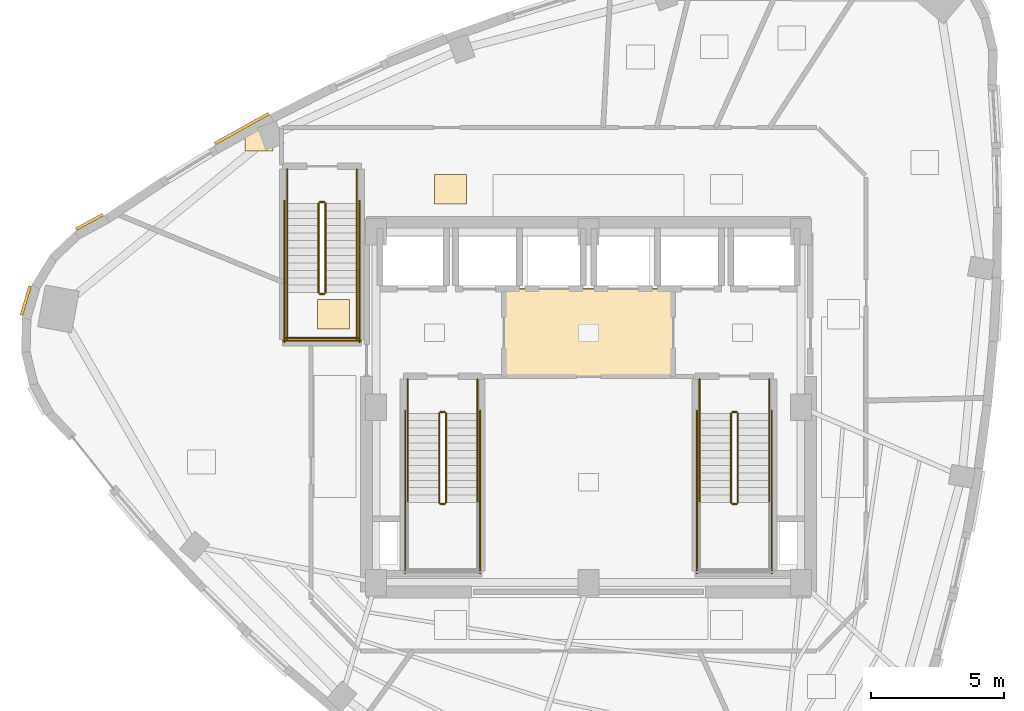
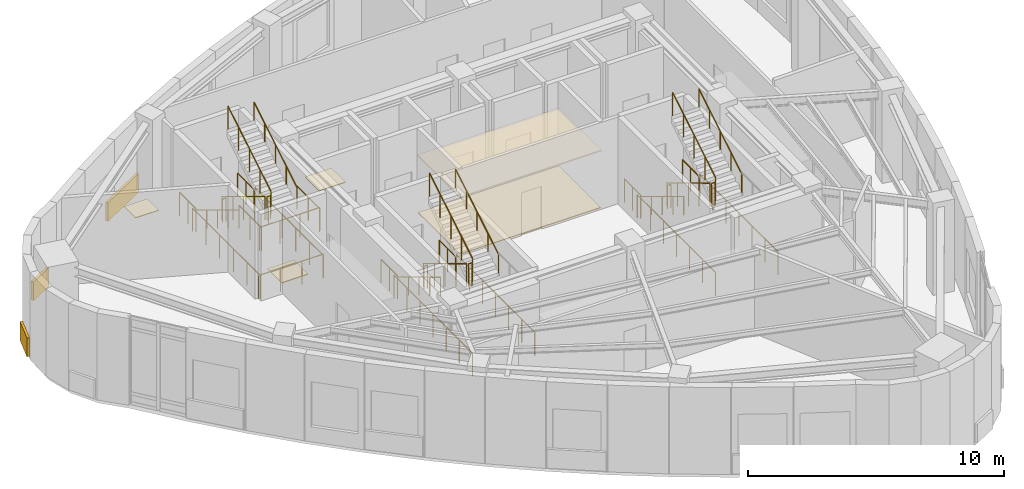
# One storey, part 12 of 13: 34 railings, 8 coverings.
"""IFC4 building model written with IfcOpenShell, lengths in metres."""

from ifc_helpers import new_model, si_unit, direction, frame, origin, origin_2d, place, context, subcontext, project, spatial, rectangle, circle, extrude, material, layer, layer_set, type_object, element, save


model = new_model("IFC4")

# Units and contexts
model_context = context("Model", 3, precision=1e-05, world=origin(), true_north=direction((0.0, 1.0)))
body_context = subcontext(model_context, "Body", "Model", "MODEL_VIEW")
ifc_project = project(units=[si_unit("LENGTHUNIT", "METRE"), si_unit("AREAUNIT", "SQUARE_METRE"), si_unit("VOLUMEUNIT", "CUBIC_METRE"), si_unit("PLANEANGLEUNIT", "RADIAN"), si_unit("MASSUNIT", "GRAM", prefix="KILO")], contexts=[model_context])

# Site, building, storey
site_placement = place(None, origin())
site = spatial("IfcSite", under=ifc_project, at=site_placement, CompositionType="ELEMENT")
building_placement = place(site_placement, origin())
building = spatial("IfcBuilding", under=site, at=building_placement, Name="Ndelora Gate Hotel", CompositionType="ELEMENT")
storey_placement = place(building_placement, frame((0.0, 0.0, 272.800048828125)))
storey = spatial("IfcBuildingStorey", under=building, at=storey_placement, Name="L68", CompositionType="ELEMENT", Elevation=272.800048828125)

# Coverings
ifc_material_1 = material(Name="Perforated Acoustic Gypsum Board", Category="gypsum")
ifc_layer_1 = layer(ifc_material_1, 0.054931640625)
ifc_layer_set_1 = layer_set([ifc_layer_1], Name="Perforated Acoustic Gypsum Board")
covering_type_1 = type_object("IfcCoveringType", Name="COV-CEIL-AC60", PredefinedType="CEILING", material=ifc_layer_set_1)
covering_1_placement = place(storey_placement, frame((0.0, 2.800048828125, 2.72265625), z_axis=(0.0, 0.0, 1.0), x_axis=(1.0, 0.0, 0.0)))
element("IfcCovering", 1, at=covering_1_placement, inside=storey, type_object=covering_type_1, Name="L68 Lift Lobby Acoustic Ceiling", PredefinedType="CEILING", context=body_context, shape_type="SweptSolid", body=[
    extrude(rectangle(XDim=6.39990234375, YDim=3.340087890625, at=origin_2d()), origin(), (0.0, 0.0, 1.0), 0.054931640625),
])
ifc_material_2 = material(Name="Terracotta Fired Clay Brick Slip Cladding", Category="masonry")
ifc_layer_2 = layer(ifc_material_2, 0.110107421875)
ifc_layer_set_2 = layer_set([ifc_layer_2], Name="Terracotta Fired Clay Brick Slip Cladding")
covering_type_2 = type_object("IfcCoveringType", Name="COV-CLAD-BRK", PredefinedType="CLADDING", material=ifc_layer_set_2)
for number, where, z_axis, x_axis, name in (
    (2, (-18.7822265625, 6.972900390625, 0.10009765625), (0.0, 0.0, 1.0), (0.878817112662, 0.47715876026, 0.0), "L68 Rounded-Corner Brick Cladding Band 1"),
    (3, (-21.1796875, 4.012451171875, 0.10009765625), (0.0, 0.0, 1.0), (0.284015344704, 0.958819734868, 0.0), "L68 Rounded-Corner Brick Cladding Band 4"),
):
    element("IfcCovering", number, at=place(storey_placement, frame(where, z_axis=z_axis, x_axis=x_axis)), inside=storey, type_object=covering_type_2, Name=name, PredefinedType="CLADDING", context=body_context, shape_type="SweptSolid", body=[
        extrude(rectangle(XDim=1.153076171875, YDim=0.110107421875, at=origin_2d()), origin(), (0.0, 0.0, 1.0), 0.89990234375),
    ])
covering_2_placement = place(storey_placement, frame((-13.046875, 10.4853515625, 0.10009765625), z_axis=(0.0, 0.0, 1.0), x_axis=(0.873941932872, 0.486030346756, 0.0)))
element("IfcCovering", 4, at=covering_2_placement, inside=storey, type_object=covering_type_2, Name="L68 Rounded-Corner Brick Cladding Band 58", PredefinedType="CLADDING", context=body_context, shape_type="SweptSolid", body=[
    extrude(rectangle(XDim=2.322021484375, YDim=0.110107421875, at=origin_2d()), origin(), (0.0, 0.0, 1.0), 0.89990234375),
])
ifc_material_3 = material(Name="Engineered Highland Oak Parquet", Category="wood")
ifc_layer_3 = layer(ifc_material_3, 0.030029296875)
ifc_layer_set_3 = layer_set([ifc_layer_3], Name="Engineered Highland Oak Parquet")
covering_type_3 = type_object("IfcCoveringType", Name="COV-FLR-PARQ", PredefinedType="FLOORING", material=ifc_layer_set_3)
covering_3_placement = place(storey_placement, frame((-12.40283203125, 10.095703125, 0.0), z_axis=(0.0, 0.0, 1.0), x_axis=(1.0, 0.0, 0.0)))
element("IfcCovering", 5, at=covering_3_placement, inside=storey, type_object=covering_type_3, Name="L68 Crown Arrival Dining Room Oak Parquet Flooring", PredefinedType="FLOORING", context=body_context, shape_type="SweptSolid", body=[
    extrude(rectangle(XDim=1.050048828125, YDim=0.89990234375, at=origin_2d()), origin(), (0.0, 0.0, 1.0), 0.030029296875),
])
ifc_material_4 = material(Name="Polished Highland Stone Terrazzo", Category="masonry")
ifc_layer_4 = layer(ifc_material_4, 0.034912109375)
ifc_layer_set_4 = layer_set([ifc_layer_4], Name="Polished Highland Stone Terrazzo")
covering_type_4 = type_object("IfcCoveringType", Name="COV-FLR-TERZ", PredefinedType="FLOORING", material=ifc_layer_set_4)
for number, where, z_axis, x_axis, name in (
    (6, (-5.199951171875, 8.199951171875, 0.0), (0.0, 0.0, 1.0), (1.0, 0.0, 0.0), "L68 Corridor Threshold Terrazzo Inlay NW"),
    (7, (-9.60009765625, 3.5, 0.0), (0.0, 0.0, 1.0), (1.0, 0.0, 0.0), "L68 Corridor Threshold Terrazzo Inlay W"),
):
    element("IfcCovering", number, at=place(storey_placement, frame(where, z_axis=z_axis, x_axis=x_axis)), inside=storey, type_object=covering_type_4, Name=name, PredefinedType="FLOORING", context=body_context, shape_type="SweptSolid", body=[
        extrude(rectangle(XDim=1.199951171875, YDim=1.10009765625, at=origin_2d()), origin(), (0.0, 0.0, 1.0), 0.034912109375),
    ])
covering_4_placement = place(storey_placement, frame((0.0, 2.800048828125, 0.0), z_axis=(0.0, 0.0, 1.0), x_axis=(1.0, 0.0, 0.0)))
element("IfcCovering", 8, at=covering_4_placement, inside=storey, type_object=covering_type_4, Name="L68 Terrazzo Concourse Flooring", PredefinedType="FLOORING", context=body_context, shape_type="SweptSolid", body=[
    extrude(rectangle(XDim=6.360107421875, YDim=3.280029296875, at=origin_2d()), origin(), (0.0, 0.0, 1.0), 0.034912109375),
])

# Railings
ifc_material_5 = material(Name="Painted Galvanized Steel Balustrade", Category="steel")
ifc_layer_5 = layer(ifc_material_5, 0.06005859375)
ifc_layer_set_5 = layer_set([ifc_layer_5], Name="Painted Galvanized Steel Balustrade")
railing_type_1 = type_object("IfcRailingType", Name="RL-STAIR-GD", PredefinedType="GUARDRAIL", material=ifc_layer_set_5)
railing_1_placement = place(storey_placement, frame((-5.6201171875, -0.22998046875, 0.169189453125)))
element("IfcRailing", 9, at=railing_1_placement, inside=storey, type_object=railing_type_1, Name="L68 ST4 stair guard 1", PredefinedType="GUARDRAIL", context=body_context, shape_type="SweptSolid", body=[
    extrude(circle(Radius=0.02392578125, at=origin_2d()), frame((0.0, 0.0, 1.10595703125), z_axis=(0.0, -0.855836976705, 0.517245656632), x_axis=(1.0, 0.0, 0.0)), (0.0, 0.0, 1.0), 3.926025390625),
    extrude(circle(Radius=0.02099609375, at=origin_2d()), origin(), (0.0, 0.0, 1.0), 1.081787109375),
    extrude(circle(Radius=0.02099609375, at=origin_2d()), frame((0.0, -0.840087890625, 0.5078125)), (0.0, 0.0, 1.0), 1.081787109375),
    extrude(circle(Radius=0.02099609375, at=origin_2d()), frame((0.0, -1.68017578125, 1.015380859375)), (0.0, 0.0, 1.0), 1.081787109375),
    extrude(circle(Radius=0.02099609375, at=origin_2d()), frame((0.0, -2.52001953125, 1.52294921875)), (0.0, 0.0, 1.0), 1.081787109375),
    extrude(circle(Radius=0.02099609375, at=origin_2d()), frame((0.0, -3.360107421875, 2.03076171875)), (0.0, 0.0, 1.0), 1.081787109375),
])
railing_2_placement = place(storey_placement, frame((-5.570068359375, -3.639892578125, 2.199951171875)))
element("IfcRailing", 10, at=railing_2_placement, inside=storey, type_object=railing_type_1, Name="L68 ST4 stair guard 2", PredefinedType="GUARDRAIL", context=body_context, shape_type="SweptSolid", body=[
    extrude(circle(Radius=0.02392578125, at=origin_2d()), frame((0.0, 0.0, 1.10595703125), z_axis=(1.0, 0.0, 0.0), x_axis=(0.0, 1.0, 0.0)), (0.0, 0.0, 1.0), 0.16015625),
    extrude(circle(Radius=0.02099609375, at=origin_2d()), origin(), (0.0, 0.0, 1.0), 1.081787109375),
    extrude(circle(Radius=0.02099609375, at=origin_2d()), frame((0.16015625, 0.0, 0.0)), (0.0, 0.0, 1.0), 1.081787109375),
])
railing_3_placement = place(storey_placement, frame((-5.360107421875, -3.590087890625, 2.369140625)))
element("IfcRailing", 11, at=railing_3_placement, inside=storey, type_object=railing_type_1, Name="L68 ST4 stair guard 6", PredefinedType="GUARDRAIL", context=body_context, shape_type="SweptSolid", body=[
    extrude(circle(Radius=0.02392578125, at=origin_2d()), frame((0.0, 0.0, 1.10595703125), z_axis=(0.0, 0.855836976705, 0.517245656632), x_axis=(-1.0, 0.0, 0.0)), (0.0, 0.0, 1.0), 3.926025390625),
    extrude(circle(Radius=0.02099609375, at=origin_2d()), origin(), (0.0, 0.0, 1.0), 1.081787109375),
    extrude(circle(Radius=0.02099609375, at=origin_2d()), frame((0.0, 0.840087890625, 0.5078125)), (0.0, 0.0, 1.0), 1.081787109375),
    extrude(circle(Radius=0.02099609375, at=origin_2d()), frame((0.0, 1.68017578125, 1.015380859375)), (0.0, 0.0, 1.0), 1.081787109375),
    extrude(circle(Radius=0.02099609375, at=origin_2d()), frame((0.0, 2.52001953125, 1.52294921875)), (0.0, 0.0, 1.0), 1.081787109375),
    extrude(circle(Radius=0.02099609375, at=origin_2d()), frame((0.0, 3.360107421875, 2.03076171875)), (0.0, 0.0, 1.0), 1.081787109375),
])
railing_4_placement = place(storey_placement, frame((-5.570068359375, -0.179931640625, 0.0)))
element("IfcRailing", 12, at=railing_4_placement, inside=storey, type_object=railing_type_1, Name="L68 ST4 stair guard 7", PredefinedType="GUARDRAIL", context=body_context, shape_type="SweptSolid", body=[
    extrude(circle(Radius=0.02392578125, at=origin_2d()), frame((0.0, 0.0, 1.10595703125), z_axis=(1.0, 0.0, 0.0), x_axis=(0.0, 1.0, 0.0)), (0.0, 0.0, 1.0), 0.16015625),
    extrude(circle(Radius=0.02099609375, at=origin_2d()), origin(), (0.0, 0.0, 1.0), 1.081787109375),
    extrude(circle(Radius=0.02099609375, at=origin_2d()), frame((0.16015625, 0.0, 0.0)), (0.0, 0.0, 1.0), 1.081787109375),
])
for number, where, name in (
    (13, (-6.800048828125, 1.050048828125, 0.0), "L68 ST4 stair guard 8"),
    (14, (-4.179931640625, 1.050048828125, 0.0), "L68 ST4 stair guard 9"),
):
    element("IfcRailing", number, at=place(storey_placement, frame(where)), inside=storey, type_object=railing_type_1, Name=name, PredefinedType="GUARDRAIL", context=body_context, shape_type="SweptSolid", body=[
        extrude(circle(Radius=0.02392578125, at=origin_2d()), frame((0.0, 0.0, 1.10595703125), z_axis=(0.0, -1.0, 0.0), x_axis=(1.0, 0.0, 0.0)), (0.0, 0.0, 1.0), 1.280029296875),
        extrude(circle(Radius=0.02099609375, at=origin_2d()), origin(), (0.0, 0.0, 1.0), 1.081787109375),
        extrude(circle(Radius=0.02099609375, at=origin_2d()), frame((0.0, -0.64013671875, 0.0)), (0.0, 0.0, 1.0), 1.081787109375),
        extrude(circle(Radius=0.02099609375, at=origin_2d()), frame((0.0, -1.280029296875, 0.0)), (0.0, 0.0, 1.0), 1.081787109375),
    ])
for number, where, name in (
    (15, (-6.89990234375, -0.1298828125, 0.0), "L68 ST4 stair guard 10"),
    (16, (-4.080078125, -0.1298828125, 0.0), "L68 ST4 stair guard 11"),
):
    element("IfcRailing", number, at=place(storey_placement, frame(where)), inside=storey, type_object=railing_type_1, Name=name, PredefinedType="GUARDRAIL", context=body_context, shape_type="SweptSolid", body=[
        extrude(circle(Radius=0.02392578125, at=origin_2d()), frame((0.0, 0.0, 1.10595703125), z_axis=(0.0, -1.0, 0.0), x_axis=(1.0, 0.0, 0.0)), (0.0, 0.0, 1.0), 6.1201171875),
        extrude(circle(Radius=0.02099609375, at=origin_2d()), origin(), (0.0, 0.0, 1.0), 1.081787109375),
        extrude(circle(Radius=0.02099609375, at=origin_2d()), frame((0.0, -1.02001953125, 0.0)), (0.0, 0.0, 1.0), 1.081787109375),
        extrude(circle(Radius=0.02099609375, at=origin_2d()), frame((0.0, -2.0400390625, 0.0)), (0.0, 0.0, 1.0), 1.081787109375),
        extrude(circle(Radius=0.02099609375, at=origin_2d()), frame((0.0, -3.06005859375, 0.0)), (0.0, 0.0, 1.0), 1.081787109375),
        extrude(circle(Radius=0.02099609375, at=origin_2d()), frame((0.0, -4.080078125, 0.0)), (0.0, 0.0, 1.0), 1.081787109375),
        extrude(circle(Radius=0.02099609375, at=origin_2d()), frame((0.0, -5.10009765625, 0.0)), (0.0, 0.0, 1.0), 1.081787109375),
        extrude(circle(Radius=0.02099609375, at=origin_2d()), frame((0.0, -6.1201171875, 0.0)), (0.0, 0.0, 1.0), 1.081787109375),
    ])
railing_5_placement = place(storey_placement, frame((5.360107421875, -0.22998046875, 0.169189453125)))
element("IfcRailing", 17, at=railing_5_placement, inside=storey, type_object=railing_type_1, Name="L68 ST5 stair guard 1", PredefinedType="GUARDRAIL", context=body_context, shape_type="SweptSolid", body=[
    extrude(circle(Radius=0.02392578125, at=origin_2d()), frame((0.0, 0.0, 1.10595703125), z_axis=(0.0, -0.855836976705, 0.517245656632), x_axis=(1.0, 0.0, 0.0)), (0.0, 0.0, 1.0), 3.926025390625),
    extrude(circle(Radius=0.02099609375, at=origin_2d()), origin(), (0.0, 0.0, 1.0), 1.081787109375),
    extrude(circle(Radius=0.02099609375, at=origin_2d()), frame((0.0, -0.840087890625, 0.5078125)), (0.0, 0.0, 1.0), 1.081787109375),
    extrude(circle(Radius=0.02099609375, at=origin_2d()), frame((0.0, -1.68017578125, 1.015380859375)), (0.0, 0.0, 1.0), 1.081787109375),
    extrude(circle(Radius=0.02099609375, at=origin_2d()), frame((0.0, -2.52001953125, 1.52294921875)), (0.0, 0.0, 1.0), 1.081787109375),
    extrude(circle(Radius=0.02099609375, at=origin_2d()), frame((0.0, -3.360107421875, 2.03076171875)), (0.0, 0.0, 1.0), 1.081787109375),
])
railing_6_placement = place(storey_placement, frame((5.409912109375, -3.639892578125, 2.199951171875)))
element("IfcRailing", 18, at=railing_6_placement, inside=storey, type_object=railing_type_1, Name="L68 ST5 stair guard 2", PredefinedType="GUARDRAIL", context=body_context, shape_type="SweptSolid", body=[
    extrude(circle(Radius=0.02392578125, at=origin_2d()), frame((0.0, 0.0, 1.10595703125), z_axis=(1.0, 0.0, 0.0), x_axis=(0.0, 1.0, 0.0)), (0.0, 0.0, 1.0), 0.16015625),
    extrude(circle(Radius=0.02099609375, at=origin_2d()), origin(), (0.0, 0.0, 1.0), 1.081787109375),
    extrude(circle(Radius=0.02099609375, at=origin_2d()), frame((0.16015625, 0.0, 0.0)), (0.0, 0.0, 1.0), 1.081787109375),
])
railing_7_placement = place(storey_placement, frame((5.6201171875, -3.590087890625, 2.369140625)))
element("IfcRailing", 19, at=railing_7_placement, inside=storey, type_object=railing_type_1, Name="L68 ST5 stair guard 6", PredefinedType="GUARDRAIL", context=body_context, shape_type="SweptSolid", body=[
    extrude(circle(Radius=0.02392578125, at=origin_2d()), frame((0.0, 0.0, 1.10595703125), z_axis=(0.0, 0.855836976705, 0.517245656632), x_axis=(-1.0, 0.0, 0.0)), (0.0, 0.0, 1.0), 3.926025390625),
    extrude(circle(Radius=0.02099609375, at=origin_2d()), origin(), (0.0, 0.0, 1.0), 1.081787109375),
    extrude(circle(Radius=0.02099609375, at=origin_2d()), frame((0.0, 0.840087890625, 0.5078125)), (0.0, 0.0, 1.0), 1.081787109375),
    extrude(circle(Radius=0.02099609375, at=origin_2d()), frame((0.0, 1.68017578125, 1.015380859375)), (0.0, 0.0, 1.0), 1.081787109375),
    extrude(circle(Radius=0.02099609375, at=origin_2d()), frame((0.0, 2.52001953125, 1.52294921875)), (0.0, 0.0, 1.0), 1.081787109375),
    extrude(circle(Radius=0.02099609375, at=origin_2d()), frame((0.0, 3.360107421875, 2.03076171875)), (0.0, 0.0, 1.0), 1.081787109375),
])
railing_8_placement = place(storey_placement, frame((5.409912109375, -0.179931640625, 0.0)))
element("IfcRailing", 20, at=railing_8_placement, inside=storey, type_object=railing_type_1, Name="L68 ST5 stair guard 7", PredefinedType="GUARDRAIL", context=body_context, shape_type="SweptSolid", body=[
    extrude(circle(Radius=0.02392578125, at=origin_2d()), frame((0.0, 0.0, 1.10595703125), z_axis=(1.0, 0.0, 0.0), x_axis=(0.0, 1.0, 0.0)), (0.0, 0.0, 1.0), 0.16015625),
    extrude(circle(Radius=0.02099609375, at=origin_2d()), origin(), (0.0, 0.0, 1.0), 1.081787109375),
    extrude(circle(Radius=0.02099609375, at=origin_2d()), frame((0.16015625, 0.0, 0.0)), (0.0, 0.0, 1.0), 1.081787109375),
])
for number, where, name in (
    (21, (4.179931640625, 1.050048828125, 0.0), "L68 ST5 stair guard 8"),
    (22, (6.800048828125, 1.050048828125, 0.0), "L68 ST5 stair guard 9"),
):
    element("IfcRailing", number, at=place(storey_placement, frame(where)), inside=storey, type_object=railing_type_1, Name=name, PredefinedType="GUARDRAIL", context=body_context, shape_type="SweptSolid", body=[
        extrude(circle(Radius=0.02392578125, at=origin_2d()), frame((0.0, 0.0, 1.10595703125), z_axis=(0.0, -1.0, 0.0), x_axis=(1.0, 0.0, 0.0)), (0.0, 0.0, 1.0), 1.280029296875),
        extrude(circle(Radius=0.02099609375, at=origin_2d()), origin(), (0.0, 0.0, 1.0), 1.081787109375),
        extrude(circle(Radius=0.02099609375, at=origin_2d()), frame((0.0, -0.64013671875, 0.0)), (0.0, 0.0, 1.0), 1.081787109375),
        extrude(circle(Radius=0.02099609375, at=origin_2d()), frame((0.0, -1.280029296875, 0.0)), (0.0, 0.0, 1.0), 1.081787109375),
    ])
for number, where, name in (
    (23, (4.080078125, -0.1298828125, 0.0), "L68 ST5 stair guard 10"),
    (24, (6.89990234375, -0.1298828125, 0.0), "L68 ST5 stair guard 11"),
):
    element("IfcRailing", number, at=place(storey_placement, frame(where)), inside=storey, type_object=railing_type_1, Name=name, PredefinedType="GUARDRAIL", context=body_context, shape_type="SweptSolid", body=[
        extrude(circle(Radius=0.02392578125, at=origin_2d()), frame((0.0, 0.0, 1.10595703125), z_axis=(0.0, -1.0, 0.0), x_axis=(1.0, 0.0, 0.0)), (0.0, 0.0, 1.0), 6.1201171875),
        extrude(circle(Radius=0.02099609375, at=origin_2d()), origin(), (0.0, 0.0, 1.0), 1.081787109375),
        extrude(circle(Radius=0.02099609375, at=origin_2d()), frame((0.0, -1.02001953125, 0.0)), (0.0, 0.0, 1.0), 1.081787109375),
        extrude(circle(Radius=0.02099609375, at=origin_2d()), frame((0.0, -2.0400390625, 0.0)), (0.0, 0.0, 1.0), 1.081787109375),
        extrude(circle(Radius=0.02099609375, at=origin_2d()), frame((0.0, -3.06005859375, 0.0)), (0.0, 0.0, 1.0), 1.081787109375),
        extrude(circle(Radius=0.02099609375, at=origin_2d()), frame((0.0, -4.080078125, 0.0)), (0.0, 0.0, 1.0), 1.081787109375),
        extrude(circle(Radius=0.02099609375, at=origin_2d()), frame((0.0, -5.10009765625, 0.0)), (0.0, 0.0, 1.0), 1.081787109375),
        extrude(circle(Radius=0.02099609375, at=origin_2d()), frame((0.0, -6.1201171875, 0.0)), (0.0, 0.0, 1.0), 1.081787109375),
    ])
railing_9_placement = place(storey_placement, frame((-10.159912109375, 7.669921875, 0.169189453125)))
element("IfcRailing", 25, at=railing_9_placement, inside=storey, type_object=railing_type_1, Name="L68 ST6 stair guard 1", PredefinedType="GUARDRAIL", context=body_context, shape_type="SweptSolid", body=[
    extrude(circle(Radius=0.02392578125, at=origin_2d()), frame((0.0, 0.0, 1.10595703125), z_axis=(0.0, -0.855820338506, 0.51727318527), x_axis=(1.0, 0.0, 0.0)), (0.0, 0.0, 1.0), 3.92578125),
    extrude(circle(Radius=0.02099609375, at=origin_2d()), origin(), (0.0, 0.0, 1.0), 1.081787109375),
    extrude(circle(Radius=0.02099609375, at=origin_2d()), frame((0.0, -0.83984375, 0.5078125)), (0.0, 0.0, 1.0), 1.081787109375),
    extrude(circle(Radius=0.02099609375, at=origin_2d()), frame((0.0, -1.679931640625, 1.015380859375)), (0.0, 0.0, 1.0), 1.081787109375),
    extrude(circle(Radius=0.02099609375, at=origin_2d()), frame((0.0, -2.52001953125, 1.52294921875)), (0.0, 0.0, 1.0), 1.081787109375),
    extrude(circle(Radius=0.02099609375, at=origin_2d()), frame((0.0, -3.35986328125, 2.03076171875)), (0.0, 0.0, 1.0), 1.081787109375),
])
railing_10_placement = place(storey_placement, frame((-10.110107421875, 4.260009765625, 2.199951171875)))
element("IfcRailing", 26, at=railing_10_placement, inside=storey, type_object=railing_type_1, Name="L68 ST6 stair guard 2", PredefinedType="GUARDRAIL", context=body_context, shape_type="SweptSolid", body=[
    extrude(circle(Radius=0.02392578125, at=origin_2d()), frame((0.0, 0.0, 1.10595703125), z_axis=(1.0, 0.0, 0.0), x_axis=(0.0, 1.0, 0.0)), (0.0, 0.0, 1.0), 0.16015625),
    extrude(circle(Radius=0.02099609375, at=origin_2d()), origin(), (0.0, 0.0, 1.0), 1.081787109375),
    extrude(circle(Radius=0.02099609375, at=origin_2d()), frame((0.16015625, 0.0, 0.0)), (0.0, 0.0, 1.0), 1.081787109375),
])
for number, where, name in (
    (27, (-11.340087890625, 4.31005859375, 2.199951171875), "L68 ST6 stair guard 3"),
    (28, (-8.719970703125, 4.31005859375, 2.199951171875), "L68 ST6 stair guard 4"),
):
    element("IfcRailing", number, at=place(storey_placement, frame(where)), inside=storey, type_object=railing_type_1, Name=name, PredefinedType="GUARDRAIL", context=body_context, shape_type="SweptSolid", body=[
        extrude(circle(Radius=0.02392578125, at=origin_2d()), frame((0.0, 0.0, 1.10595703125), z_axis=(0.0, -1.0, 0.0), x_axis=(1.0, 0.0, 0.0)), (0.0, 0.0, 1.0), 1.760009765625),
        extrude(circle(Radius=0.02099609375, at=origin_2d()), origin(), (0.0, 0.0, 1.0), 1.081787109375),
        extrude(circle(Radius=0.02099609375, at=origin_2d()), frame((0.0, -0.8798828125, 0.0)), (0.0, 0.0, 1.0), 1.081787109375),
        extrude(circle(Radius=0.02099609375, at=origin_2d()), frame((0.0, -1.760009765625, 0.0)), (0.0, 0.0, 1.0), 1.081787109375),
    ])
railing_11_placement = place(storey_placement, frame((-11.389892578125, 2.60009765625, 2.199951171875)))
element("IfcRailing", 29, at=railing_11_placement, inside=storey, type_object=railing_type_1, Name="L68 ST6 stair guard 5", PredefinedType="GUARDRAIL", context=body_context, shape_type="SweptSolid", body=[
    extrude(circle(Radius=0.02392578125, at=origin_2d()), frame((0.0, 0.0, 1.10595703125), z_axis=(1.0, 0.0, 0.0), x_axis=(0.0, 1.0, 0.0)), (0.0, 0.0, 1.0), 2.719970703125),
    extrude(circle(Radius=0.02099609375, at=origin_2d()), origin(), (0.0, 0.0, 1.0), 1.081787109375),
    extrude(circle(Radius=0.02099609375, at=origin_2d()), frame((0.90673828125, 0.0, 0.0)), (0.0, 0.0, 1.0), 1.081787109375),
    extrude(circle(Radius=0.02099609375, at=origin_2d()), frame((1.813232421875, 0.0, 0.0)), (0.0, 0.0, 1.0), 1.081787109375),
    extrude(circle(Radius=0.02099609375, at=origin_2d()), frame((2.719970703125, 0.0, 0.0)), (0.0, 0.0, 1.0), 1.081787109375),
])
railing_12_placement = place(storey_placement, frame((-9.89990234375, 4.31005859375, 2.369140625)))
element("IfcRailing", 30, at=railing_12_placement, inside=storey, type_object=railing_type_1, Name="L68 ST6 stair guard 6", PredefinedType="GUARDRAIL", context=body_context, shape_type="SweptSolid", body=[
    extrude(circle(Radius=0.02392578125, at=origin_2d()), frame((0.0, 0.0, 1.10595703125), z_axis=(0.0, 0.855820338506, 0.51727318527), x_axis=(-1.0, 0.0, 0.0)), (0.0, 0.0, 1.0), 3.92578125),
    extrude(circle(Radius=0.02099609375, at=origin_2d()), origin(), (0.0, 0.0, 1.0), 1.081787109375),
    extrude(circle(Radius=0.02099609375, at=origin_2d()), frame((0.0, 0.83984375, 0.5078125)), (0.0, 0.0, 1.0), 1.081787109375),
    extrude(circle(Radius=0.02099609375, at=origin_2d()), frame((0.0, 1.679931640625, 1.015380859375)), (0.0, 0.0, 1.0), 1.081787109375),
    extrude(circle(Radius=0.02099609375, at=origin_2d()), frame((0.0, 2.52001953125, 1.52294921875)), (0.0, 0.0, 1.0), 1.081787109375),
    extrude(circle(Radius=0.02099609375, at=origin_2d()), frame((0.0, 3.35986328125, 2.03076171875)), (0.0, 0.0, 1.0), 1.081787109375),
])
railing_13_placement = place(storey_placement, frame((-10.110107421875, 7.719970703125, 0.0)))
element("IfcRailing", 31, at=railing_13_placement, inside=storey, type_object=railing_type_1, Name="L68 ST6 stair guard 7", PredefinedType="GUARDRAIL", context=body_context, shape_type="SweptSolid", body=[
    extrude(circle(Radius=0.02392578125, at=origin_2d()), frame((0.0, 0.0, 1.10595703125), z_axis=(1.0, 0.0, 0.0), x_axis=(0.0, 1.0, 0.0)), (0.0, 0.0, 1.0), 0.16015625),
    extrude(circle(Radius=0.02099609375, at=origin_2d()), origin(), (0.0, 0.0, 1.0), 1.081787109375),
    extrude(circle(Radius=0.02099609375, at=origin_2d()), frame((0.16015625, 0.0, 0.0)), (0.0, 0.0, 1.0), 1.081787109375),
])
for number, where, name in (
    (32, (-11.340087890625, 8.949951171875, 0.0), "L68 ST6 stair guard 8"),
    (33, (-8.719970703125, 8.949951171875, 0.0), "L68 ST6 stair guard 9"),
):
    element("IfcRailing", number, at=place(storey_placement, frame(where)), inside=storey, type_object=railing_type_1, Name=name, PredefinedType="GUARDRAIL", context=body_context, shape_type="SweptSolid", body=[
        extrude(circle(Radius=0.02392578125, at=origin_2d()), frame((0.0, 0.0, 1.10595703125), z_axis=(0.0, -1.0, 0.0), x_axis=(1.0, 0.0, 0.0)), (0.0, 0.0, 1.0), 1.280029296875),
        extrude(circle(Radius=0.02099609375, at=origin_2d()), origin(), (0.0, 0.0, 1.0), 1.081787109375),
        extrude(circle(Radius=0.02099609375, at=origin_2d()), frame((0.0, -0.64013671875, 0.0)), (0.0, 0.0, 1.0), 1.081787109375),
        extrude(circle(Radius=0.02099609375, at=origin_2d()), frame((0.0, -1.280029296875, 0.0)), (0.0, 0.0, 1.0), 1.081787109375),
    ])
for number, where, name in (
    (34, (-11.43994140625, 7.77001953125, 0.0), "L68 ST6 stair guard 10"),
    (35, (-8.6201171875, 7.77001953125, 0.0), "L68 ST6 stair guard 11"),
):
    element("IfcRailing", number, at=place(storey_placement, frame(where)), inside=storey, type_object=railing_type_1, Name=name, PredefinedType="GUARDRAIL", context=body_context, shape_type="SweptSolid", body=[
        extrude(circle(Radius=0.02392578125, at=origin_2d()), frame((0.0, 0.0, 1.10595703125), z_axis=(0.0, -1.0, 0.0), x_axis=(1.0, 0.0, 0.0)), (0.0, 0.0, 1.0), 5.320068359375),
        extrude(circle(Radius=0.02099609375, at=origin_2d()), origin(), (0.0, 0.0, 1.0), 1.081787109375),
        extrude(circle(Radius=0.02099609375, at=origin_2d()), frame((0.0, -1.06396484375, 0.0)), (0.0, 0.0, 1.0), 1.081787109375),
        extrude(circle(Radius=0.02099609375, at=origin_2d()), frame((0.0, -2.1279296875, 0.0)), (0.0, 0.0, 1.0), 1.081787109375),
        extrude(circle(Radius=0.02099609375, at=origin_2d()), frame((0.0, -3.192138671875, 0.0)), (0.0, 0.0, 1.0), 1.081787109375),
        extrude(circle(Radius=0.02099609375, at=origin_2d()), frame((0.0, -4.256103515625, 0.0)), (0.0, 0.0, 1.0), 1.081787109375),
        extrude(circle(Radius=0.02099609375, at=origin_2d()), frame((0.0, -5.320068359375, 0.0)), (0.0, 0.0, 1.0), 1.081787109375),
    ])
railing_14_placement = place(storey_placement, frame((-11.489990234375, 2.5, 0.0)))
element("IfcRailing", 36, at=railing_14_placement, inside=storey, type_object=railing_type_1, Name="L68 ST6 stair guard 12", PredefinedType="GUARDRAIL", context=body_context, shape_type="SweptSolid", body=[
    extrude(circle(Radius=0.02392578125, at=origin_2d()), frame((0.0, 0.0, 1.10595703125), z_axis=(1.0, 0.0, 0.0), x_axis=(0.0, 1.0, 0.0)), (0.0, 0.0, 1.0), 2.919921875),
    extrude(circle(Radius=0.02099609375, at=origin_2d()), origin(), (0.0, 0.0, 1.0), 1.081787109375),
    extrude(circle(Radius=0.02099609375, at=origin_2d()), frame((0.973388671875, 0.0, 0.0)), (0.0, 0.0, 1.0), 1.081787109375),
    extrude(circle(Radius=0.02099609375, at=origin_2d()), frame((1.946533203125, 0.0, 0.0)), (0.0, 0.0, 1.0), 1.081787109375),
    extrude(circle(Radius=0.02099609375, at=origin_2d()), frame((2.919921875, 0.0, 0.0)), (0.0, 0.0, 1.0), 1.081787109375),
])
ifc_material_6 = material(Name="Brushed Stainless Steel 316", Category="steel")
ifc_layer_6 = layer(ifc_material_6, 0.050048828125)
ifc_layer_set_6 = layer_set([ifc_layer_6], Name="Brushed Stainless Steel 316")
railing_type_2 = type_object("IfcRailingType", Name="RL-STAIR-HR", PredefinedType="HANDRAIL", material=ifc_layer_set_6)
railing_15_placement = place(storey_placement, frame((-6.800048828125, -0.22998046875, 0.169189453125)))
element("IfcRailing", 37, at=railing_15_placement, inside=storey, type_object=railing_type_2, Name="L68 ST4 stair handrail 1", PredefinedType="HANDRAIL", context=body_context, shape_type="SweptSolid", body=[
    extrude(circle(Radius=0.02392578125, at=origin_2d()), frame((0.0, 0.0, 0.8759765625), z_axis=(0.0, -0.855836976705, 0.517245656632), x_axis=(1.0, 0.0, 0.0)), (0.0, 0.0, 1.0), 3.926025390625),
    extrude(circle(Radius=0.02099609375, at=origin_2d()), origin(), (0.0, 0.0, 1.0), 0.851806640625),
    extrude(circle(Radius=0.02099609375, at=origin_2d()), frame((0.0, -0.840087890625, 0.5078125)), (0.0, 0.0, 1.0), 0.851806640625),
    extrude(circle(Radius=0.02099609375, at=origin_2d()), frame((0.0, -1.68017578125, 1.015380859375)), (0.0, 0.0, 1.0), 0.851806640625),
    extrude(circle(Radius=0.02099609375, at=origin_2d()), frame((0.0, -2.52001953125, 1.52294921875)), (0.0, 0.0, 1.0), 0.851806640625),
    extrude(circle(Radius=0.02099609375, at=origin_2d()), frame((0.0, -3.360107421875, 2.03076171875)), (0.0, 0.0, 1.0), 0.851806640625),
])
railing_16_placement = place(storey_placement, frame((-4.179931640625, -3.590087890625, 2.369140625)))
element("IfcRailing", 38, at=railing_16_placement, inside=storey, type_object=railing_type_2, Name="L68 ST4 stair handrail 2", PredefinedType="HANDRAIL", context=body_context, shape_type="SweptSolid", body=[
    extrude(circle(Radius=0.02392578125, at=origin_2d()), frame((0.0, 0.0, 0.8759765625), z_axis=(0.0, 0.855836976705, 0.517245656632), x_axis=(-1.0, 0.0, 0.0)), (0.0, 0.0, 1.0), 3.926025390625),
    extrude(circle(Radius=0.02099609375, at=origin_2d()), origin(), (0.0, 0.0, 1.0), 0.851806640625),
    extrude(circle(Radius=0.02099609375, at=origin_2d()), frame((0.0, 0.840087890625, 0.5078125)), (0.0, 0.0, 1.0), 0.851806640625),
    extrude(circle(Radius=0.02099609375, at=origin_2d()), frame((0.0, 1.68017578125, 1.015380859375)), (0.0, 0.0, 1.0), 0.851806640625),
    extrude(circle(Radius=0.02099609375, at=origin_2d()), frame((0.0, 2.52001953125, 1.52294921875)), (0.0, 0.0, 1.0), 0.851806640625),
    extrude(circle(Radius=0.02099609375, at=origin_2d()), frame((0.0, 3.360107421875, 2.03076171875)), (0.0, 0.0, 1.0), 0.851806640625),
])
railing_17_placement = place(storey_placement, frame((4.179931640625, -0.22998046875, 0.169189453125)))
element("IfcRailing", 39, at=railing_17_placement, inside=storey, type_object=railing_type_2, Name="L68 ST5 stair handrail 1", PredefinedType="HANDRAIL", context=body_context, shape_type="SweptSolid", body=[
    extrude(circle(Radius=0.02392578125, at=origin_2d()), frame((0.0, 0.0, 0.8759765625), z_axis=(0.0, -0.855836976705, 0.517245656632), x_axis=(1.0, 0.0, 0.0)), (0.0, 0.0, 1.0), 3.926025390625),
    extrude(circle(Radius=0.02099609375, at=origin_2d()), origin(), (0.0, 0.0, 1.0), 0.851806640625),
    extrude(circle(Radius=0.02099609375, at=origin_2d()), frame((0.0, -0.840087890625, 0.5078125)), (0.0, 0.0, 1.0), 0.851806640625),
    extrude(circle(Radius=0.02099609375, at=origin_2d()), frame((0.0, -1.68017578125, 1.015380859375)), (0.0, 0.0, 1.0), 0.851806640625),
    extrude(circle(Radius=0.02099609375, at=origin_2d()), frame((0.0, -2.52001953125, 1.52294921875)), (0.0, 0.0, 1.0), 0.851806640625),
    extrude(circle(Radius=0.02099609375, at=origin_2d()), frame((0.0, -3.360107421875, 2.03076171875)), (0.0, 0.0, 1.0), 0.851806640625),
])
railing_18_placement = place(storey_placement, frame((6.800048828125, -3.590087890625, 2.369140625)))
element("IfcRailing", 40, at=railing_18_placement, inside=storey, type_object=railing_type_2, Name="L68 ST5 stair handrail 2", PredefinedType="HANDRAIL", context=body_context, shape_type="SweptSolid", body=[
    extrude(circle(Radius=0.02392578125, at=origin_2d()), frame((0.0, 0.0, 0.8759765625), z_axis=(0.0, 0.855836976705, 0.517245656632), x_axis=(-1.0, 0.0, 0.0)), (0.0, 0.0, 1.0), 3.926025390625),
    extrude(circle(Radius=0.02099609375, at=origin_2d()), origin(), (0.0, 0.0, 1.0), 0.851806640625),
    extrude(circle(Radius=0.02099609375, at=origin_2d()), frame((0.0, 0.840087890625, 0.5078125)), (0.0, 0.0, 1.0), 0.851806640625),
    extrude(circle(Radius=0.02099609375, at=origin_2d()), frame((0.0, 1.68017578125, 1.015380859375)), (0.0, 0.0, 1.0), 0.851806640625),
    extrude(circle(Radius=0.02099609375, at=origin_2d()), frame((0.0, 2.52001953125, 1.52294921875)), (0.0, 0.0, 1.0), 0.851806640625),
    extrude(circle(Radius=0.02099609375, at=origin_2d()), frame((0.0, 3.360107421875, 2.03076171875)), (0.0, 0.0, 1.0), 0.851806640625),
])
railing_19_placement = place(storey_placement, frame((-11.340087890625, 7.669921875, 0.169189453125)))
element("IfcRailing", 41, at=railing_19_placement, inside=storey, type_object=railing_type_2, Name="L68 ST6 stair handrail 1", PredefinedType="HANDRAIL", context=body_context, shape_type="SweptSolid", body=[
    extrude(circle(Radius=0.02392578125, at=origin_2d()), frame((0.0, 0.0, 0.8759765625), z_axis=(0.0, -0.855820338506, 0.51727318527), x_axis=(1.0, 0.0, 0.0)), (0.0, 0.0, 1.0), 3.92578125),
    extrude(circle(Radius=0.02099609375, at=origin_2d()), origin(), (0.0, 0.0, 1.0), 0.851806640625),
    extrude(circle(Radius=0.02099609375, at=origin_2d()), frame((0.0, -0.83984375, 0.5078125)), (0.0, 0.0, 1.0), 0.851806640625),
    extrude(circle(Radius=0.02099609375, at=origin_2d()), frame((0.0, -1.679931640625, 1.015380859375)), (0.0, 0.0, 1.0), 0.851806640625),
    extrude(circle(Radius=0.02099609375, at=origin_2d()), frame((0.0, -2.52001953125, 1.52294921875)), (0.0, 0.0, 1.0), 0.851806640625),
    extrude(circle(Radius=0.02099609375, at=origin_2d()), frame((0.0, -3.35986328125, 2.03076171875)), (0.0, 0.0, 1.0), 0.851806640625),
])
railing_20_placement = place(storey_placement, frame((-8.719970703125, 4.31005859375, 2.369140625)))
element("IfcRailing", 42, at=railing_20_placement, inside=storey, type_object=railing_type_2, Name="L68 ST6 stair handrail 2", PredefinedType="HANDRAIL", context=body_context, shape_type="SweptSolid", body=[
    extrude(circle(Radius=0.02392578125, at=origin_2d()), frame((0.0, 0.0, 0.8759765625), z_axis=(0.0, 0.855820338506, 0.51727318527), x_axis=(-1.0, 0.0, 0.0)), (0.0, 0.0, 1.0), 3.92578125),
    extrude(circle(Radius=0.02099609375, at=origin_2d()), origin(), (0.0, 0.0, 1.0), 0.851806640625),
    extrude(circle(Radius=0.02099609375, at=origin_2d()), frame((0.0, 0.83984375, 0.5078125)), (0.0, 0.0, 1.0), 0.851806640625),
    extrude(circle(Radius=0.02099609375, at=origin_2d()), frame((0.0, 1.679931640625, 1.015380859375)), (0.0, 0.0, 1.0), 0.851806640625),
    extrude(circle(Radius=0.02099609375, at=origin_2d()), frame((0.0, 2.52001953125, 1.52294921875)), (0.0, 0.0, 1.0), 0.851806640625),
    extrude(circle(Radius=0.02099609375, at=origin_2d()), frame((0.0, 3.35986328125, 2.03076171875)), (0.0, 0.0, 1.0), 0.851806640625),
])

save(model, "model.ifc")
